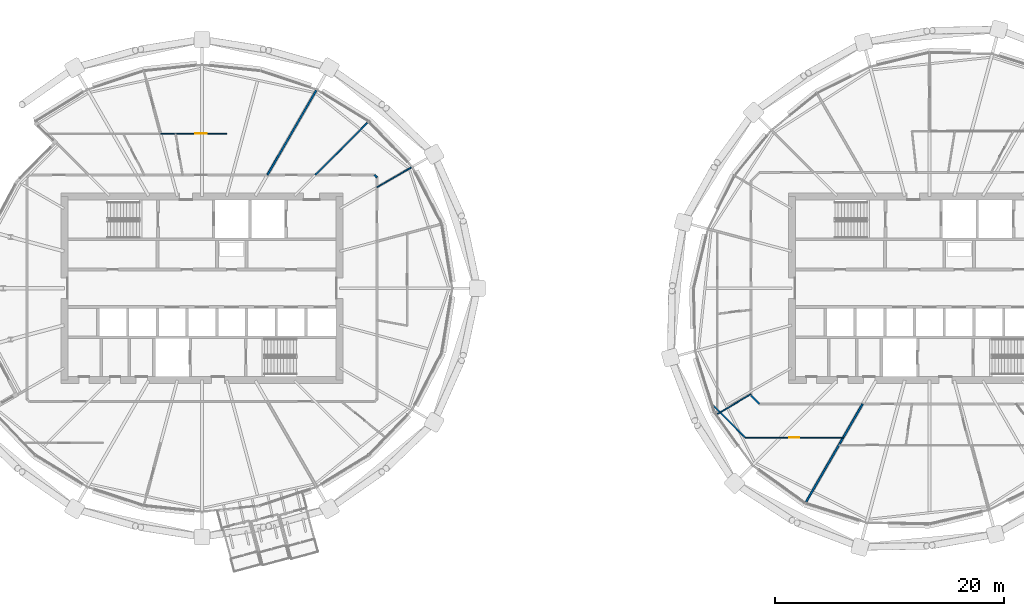
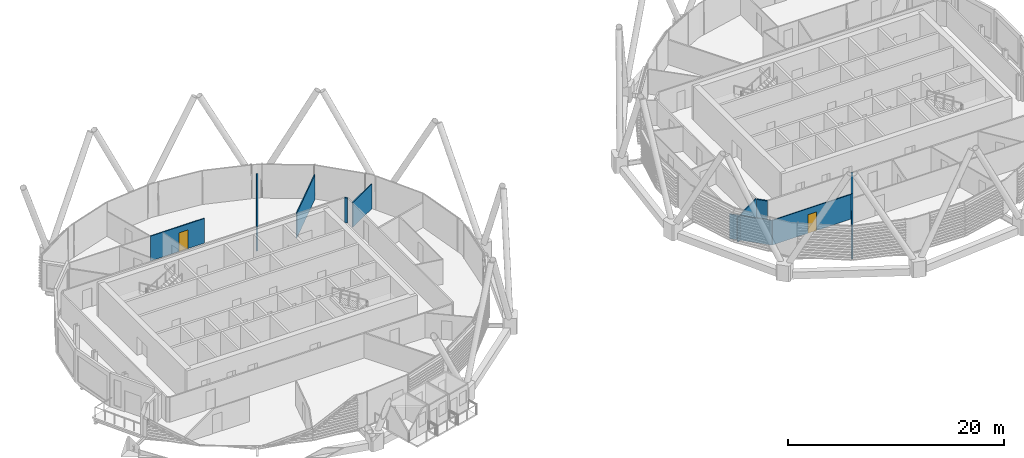
# One storey, part 25 of 35: 10 walls, 2 doors, 2 openings.
"""IFC4 building model written with IfcOpenShell, lengths in metres."""

from ifc_helpers import new_model, si_unit, direction, frame, frame_2d, origin, place, context, subcontext, project, spatial, rectangle, extrude, material, layer, layer_set, type_object, element, fill, save


model = new_model("IFC4")

# Units and contexts
model_context = context("Model", 3, precision=1e-05, world=origin(), true_north=direction((0.0, 1.0)))
body_context = subcontext(model_context, "Body", "Model", "MODEL_VIEW")
ifc_project = project(units=[si_unit("LENGTHUNIT", "METRE"), si_unit("AREAUNIT", "SQUARE_METRE"), si_unit("VOLUMEUNIT", "CUBIC_METRE"), si_unit("PLANEANGLEUNIT", "RADIAN"), si_unit("MASSUNIT", "GRAM", prefix="KILO")], contexts=[model_context])

# Site, building, storey
site_placement = place(None, origin())
site = spatial("IfcSite", under=ifc_project, at=site_placement, CompositionType="ELEMENT")
building_placement = place(site_placement, origin())
building = spatial("IfcBuilding", under=site, at=building_placement, Name="Rimbun Link Towers", CompositionType="ELEMENT")
storey_placement = place(building_placement, frame((0.0, 0.0, 181.699951171875)))
storey = spatial("IfcBuildingStorey", under=building, at=storey_placement, Name="L44", CompositionType="ELEMENT", Elevation=181.699951171875)

# Walls
ifc_material_1 = material(Name="Plasterboard on steel stud, mineral wool", Category="steel")
ifc_layer_1 = layer(ifc_material_1, 0.14990234375)
ifc_layer_set_1 = layer_set([ifc_layer_1], Name="Corridor wall EI 30 150 mm")
wall_type_1 = type_object("IfcWallType", Name="Corridor wall EI 30 150 mm", PredefinedType="PARTITIONING", material=ifc_layer_set_1)
wall_1_placement = place(storey_placement, frame((-16.47509765625, 9.673583984375, 0.0), z_axis=(0.0, 0.0, 1.0), x_axis=(-0.706716653396, 0.707496693853, 0.0)))
element("IfcWall", 1, at=wall_1_placement, inside=storey, type_object=wall_type_1, Name="Corridor wall EI 30 150 mm", PredefinedType="PARTITIONING", context=body_context, shape_type="SweptSolid", body=[
    extrude(rectangle(XDim=0.31298828125, YDim=0.14990234375, at=frame_2d((0.156494140625, 0.0))), origin(), (0.0, 0.0, 1.0), 2.7890625),
])
wall_2_placement = place(storey_placement, frame((16.175048828125, -9.373779296875, 0.0), z_axis=(0.0, 0.0, 1.0), x_axis=(0.707106781187, -0.707106781187, 0.0)))
element("IfcWall", 2, at=wall_2_placement, inside=storey, type_object=wall_type_1, Name="Corridor wall EI 30 150 mm", PredefinedType="PARTITIONING", context=body_context, shape_type="SweptSolid", body=[
    extrude(rectangle(XDim=1.02001953125, YDim=0.14990234375, at=frame_2d((0.510009765625, 0.0))), origin(), (0.0, 0.0, 1.0), 2.7890625),
])
ifc_material_2 = material(Name="Plasterboard on steel stud", Category="steel")
ifc_layer_2 = layer(ifc_material_2, 0.10009765625)
ifc_layer_set_2 = layer_set([ifc_layer_2], Name="Plasterboard partition 100 mm")
wall_type_2 = type_object("IfcWallType", Name="Plasterboard partition 100 mm", PredefinedType="PARTITIONING", material=ifc_layer_set_2)
wall_3_placement = place(storey_placement, frame((-13.443115234375, 10.569580078125, 0.0), z_axis=(0.0, 0.0, 1.0), x_axis=(-0.866028815679, -0.499994090379, 0.0)))
element("IfcWall", 3, at=wall_3_placement, inside=storey, type_object=wall_type_2, Name="Plasterboard partition 100 mm", PredefinedType="PARTITIONING", context=body_context, shape_type="SweptSolid", body=[
    extrude(rectangle(XDim=3.5009765625, YDim=0.10009765625, at=frame_2d((1.75048828125, 0.0))), origin(), (0.0, 0.0, 1.0), 2.7890625),
])
wall_4_placement = place(storey_placement, frame((-17.230224609375, 14.519775390625, 0.0), z_axis=(0.0, 0.0, 1.0), x_axis=(-0.707106781187, -0.707106781187, 0.0)))
element("IfcWall", 4, at=wall_4_placement, inside=storey, type_object=wall_type_2, Name="Plasterboard partition 100 mm", PredefinedType="PARTITIONING", context=body_context, shape_type="SweptSolid", body=[
    extrude(rectangle(XDim=6.540283203125, YDim=0.10009765625, at=frame_2d((3.27001953125, 0.0))), origin(), (0.0, 0.0, 1.0), 2.7890625),
])

# Wall, opening, door
wall_5_placement = place(storey_placement, frame((-35.365966796875, 13.4951171875, 0.0), z_axis=(0.0, 0.0, 1.0), x_axis=(1.0, 0.0, 0.0)))
wall_5 = element("IfcWall", 5, at=wall_5_placement, inside=storey, type_object=wall_type_2, Name="Plasterboard partition 100 mm", PredefinedType="PARTITIONING", context=body_context, shape_type="SweptSolid", body=[
    extrude(rectangle(XDim=5.763671875, YDim=0.10009765625, at=frame_2d((2.8818359375, 0.0))), origin(), (0.0, 0.0, 1.0), 2.7890625),
])
opening_1_placement = place(wall_5_placement, frame((3.01953125, 0.0, 0.0)))
opening_1 = element("IfcOpeningElement", 6, at=opening_1_placement, cuts=wall_5, Name="Opening D03", PredefinedType="OPENING", context=body_context, shape_type="SweptSolid", body=[
    extrude(rectangle(XDim=1.0, YDim=2.10009765625, at=frame_2d((0.5, 1.050048828125))), frame((0.0, 0.06005859375, 0.0), z_axis=(0.0, -1.0, 0.0), x_axis=(1.0, 0.0, 0.0)), (0.0, 0.0, 1.0), 0.1201171875),
])
ifc_material_3 = material(Name="Timber door leaf", Category="wood")
door_type_1 = type_object("IfcDoorType", Name="Flush door 1000", OperationType="NOTDEFINED", PredefinedType="DOOR", material=ifc_material_3)
door_1_placement = place(opening_1_placement, origin())
door_1 = element("IfcDoor", 7, at=door_1_placement, inside=storey, type_object=door_type_1, Name="Flush door 1000 to Open office", OperationType="SINGLE_SWING_RIGHT", OverallHeight=2.10009765625, OverallWidth=1.0, PredefinedType="DOOR", context=body_context, shape_type="SweptSolid", body=[
    extrude(rectangle(XDim=1.0, YDim=2.10009765625, at=frame_2d((0.5, 1.050048828125))), frame((0.0, 0.02490234375, 0.0), z_axis=(0.0, -1.0, 0.0), x_axis=(1.0, 0.0, 0.0)), (0.0, 0.0, 1.0), 0.050048828125),
])
fill(opening_1, door_1)

# Walls
wall_6_placement = place(storey_placement, frame((13.1640625, -11.023193359375, 0.0), z_axis=(0.0, 0.0, 1.0), x_axis=(0.86009095865, 0.510140708872, 0.0)))
element("IfcWall", 8, at=wall_6_placement, inside=storey, type_object=wall_type_2, Name="Plasterboard partition 100 mm", PredefinedType="PARTITIONING", context=body_context, shape_type="SweptSolid", body=[
    extrude(rectangle(XDim=3.500732421875, YDim=0.10009765625, at=frame_2d((1.75048828125, 0.0))), origin(), (0.0, 0.0, 1.0), 2.7890625),
])
wall_7_placement = place(storey_placement, frame((12.8203125, -10.177001953125, 0.0), z_axis=(0.0, 0.0, 1.0), x_axis=(0.707136982001, -0.707076579082, 0.0)))
element("IfcWall", 9, at=wall_7_placement, inside=storey, type_object=wall_type_2, Name="Plasterboard partition 100 mm", PredefinedType="PARTITIONING", context=body_context, shape_type="SweptSolid", body=[
    extrude(rectangle(XDim=4.041748046875, YDim=0.10009765625, at=frame_2d((2.02099609375, 0.0))), origin(), (0.0, 0.0, 1.0), 2.7890625),
])

# Wall, opening, door
wall_8_placement = place(storey_placement, frame((15.678466796875, -13.034912109375, 0.0), z_axis=(0.0, 0.0, 1.0), x_axis=(1.0, 0.0, 0.0)))
wall_8 = element("IfcWall", 10, at=wall_8_placement, inside=storey, type_object=wall_type_2, Name="Plasterboard partition 100 mm", PredefinedType="PARTITIONING", context=body_context, shape_type="SweptSolid", body=[
    extrude(rectangle(XDim=8.545654296875, YDim=0.10009765625, at=frame_2d((4.27294921875, 0.0))), origin(), (0.0, 0.0, 1.0), 2.7890625),
])
opening_2_placement = place(wall_8_placement, frame((3.822998046875, 0.0, 0.0)))
opening_2 = element("IfcOpeningElement", 11, at=opening_2_placement, cuts=wall_8, Name="Opening D04", PredefinedType="OPENING", context=body_context, shape_type="SweptSolid", body=[
    extrude(rectangle(XDim=0.89990234375, YDim=2.10009765625, at=frame_2d((0.449951171875, 1.050048828125))), frame((0.0, 0.06005859375, 0.0), z_axis=(0.0, -1.0, 0.0), x_axis=(1.0, 0.0, 0.0)), (0.0, 0.0, 1.0), 0.1201171875),
])
ifc_material_4 = material(Name="Timber door leaf", Category="wood")
door_type_2 = type_object("IfcDoorType", Name="Flush door 900", OperationType="NOTDEFINED", PredefinedType="DOOR", material=ifc_material_4)
door_2_placement = place(opening_2_placement, origin())
door_2 = element("IfcDoor", 12, at=door_2_placement, inside=storey, type_object=door_type_2, Name="Flush door 900 to Communications room", OperationType="SINGLE_SWING_LEFT", OverallHeight=2.10009765625, OverallWidth=0.89990234375, PredefinedType="DOOR", context=body_context, shape_type="SweptSolid", body=[
    extrude(rectangle(XDim=0.89990234375, YDim=2.10009765625, at=frame_2d((0.449951171875, 1.050048828125))), frame((0.0, 0.02490234375, 0.0), z_axis=(0.0, -1.0, 0.0), x_axis=(1.0, 0.0, 0.0)), (0.0, 0.0, 1.0), 0.050048828125),
])
fill(opening_2, door_2)

# Walls
ifc_material_5 = material(Name="Plasterboard on steel stud, mineral wool", Category="steel")
ifc_layer_3 = layer(ifc_material_5, 0.14990234375)
ifc_layer_set_3 = layer_set([ifc_layer_3], Name="Tenancy separation wall EI 60 150 mm")
wall_type_3 = type_object("IfcWallType", Name="Tenancy separation wall EI 60 150 mm", PredefinedType="PARTITIONING", material=ifc_layer_set_3)
wall_9_placement = place(storey_placement, frame((-26.037109375, 9.89501953125, 0.0), z_axis=(0.0, 0.0, 1.0), x_axis=(0.499998391746, 0.866026332309, 0.0)))
element("IfcWall", 13, at=wall_9_placement, inside=storey, type_object=wall_type_3, Name="Tenancy separation wall EI 60 150 mm", PredefinedType="PARTITIONING", context=body_context, shape_type="SweptSolid", body=[
    extrude(rectangle(XDim=8.55224609375, YDim=0.14990234375, at=frame_2d((4.276123046875, 0.0))), origin(), (0.0, 0.0, 1.0), 2.7890625),
])
wall_10_placement = place(storey_placement, frame((25.921630859375, -10.094970703125, 0.0), z_axis=(0.0, 0.0, 1.0), x_axis=(-0.499998264499, -0.866026405774, 0.0)))
element("IfcWall", 14, at=wall_10_placement, inside=storey, type_object=wall_type_3, Name="Tenancy separation wall EI 60 150 mm", PredefinedType="PARTITIONING", context=body_context, shape_type="SweptSolid", body=[
    extrude(rectangle(XDim=9.9609375, YDim=0.14990234375, at=frame_2d((4.98046875, 0.0))), origin(), (0.0, 0.0, 1.0), 2.7890625),
])

save(model, "model.ifc")
